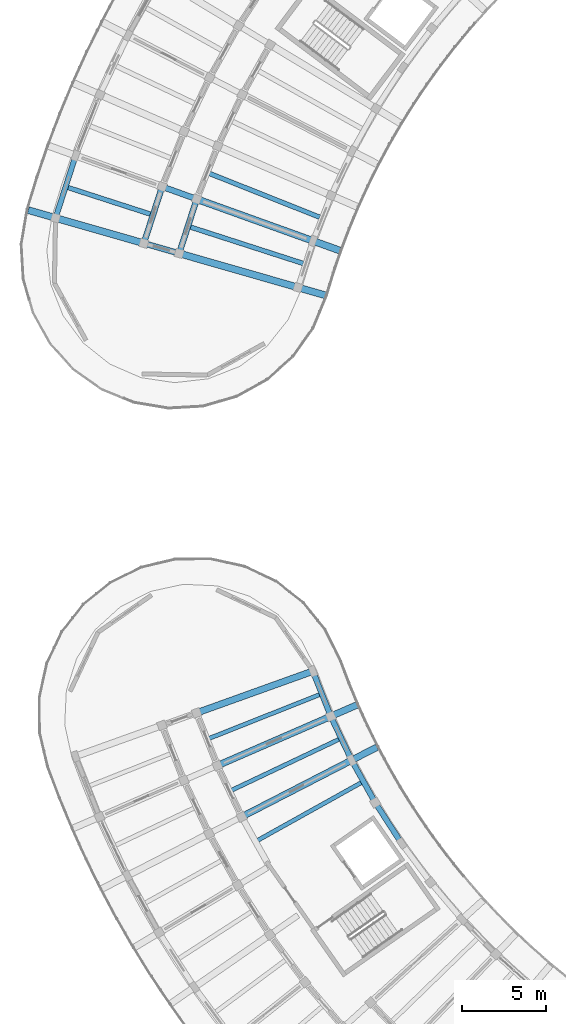
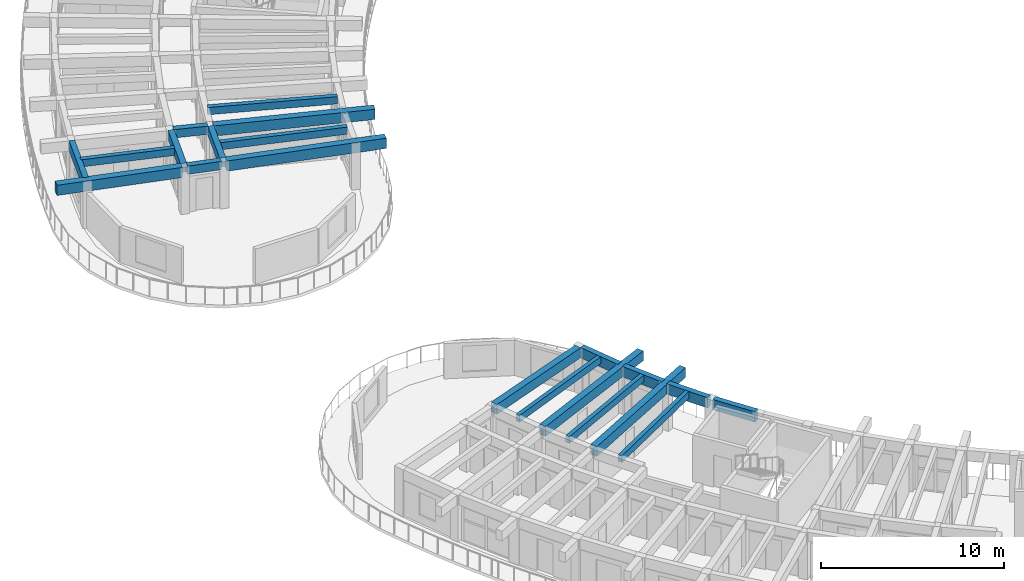
# One storey, part 11 of 83: 21 beams.
"""IFC4 building model written with IfcOpenShell, lengths in metres."""

import ifcopenshell
import ifcopenshell.guid

model = None  # the IFC model being written
_history = None  # IfcOwnerHistory: only IFC2X3 demands one
_inside = {}  # id of a spatial element -> (the spatial element, [elements in it])
_under = {}  # id of a project, library or spatial element -> (it, [spatial elements below it])
_declared = {}  # id of a project -> (the project, [libraries it declares])
_typed = {}  # id of a type object -> (the type object, [elements of that type])
_made_of = {}  # id of a material, layer set ... -> (it, [elements and type objects made of it])


def new_model(schema):
    """Start an empty IFC model of exactly this schema.

    Asked for "IFC4X3", IfcOpenShell would pick the latest addendum, in which some entities
    have other attributes; the version numbers below select the first issue.
    IFC2X3 requires an IfcOwnerHistory on every rooted entity: one is made here for all.
    """
    global model, _history
    if schema == "IFC4X3":
        model = ifcopenshell.file(schema_version=(4, 3, 0, 0))
    else:
        model = ifcopenshell.file(schema=schema)
    _inside.clear()
    _under.clear()
    _declared.clear()
    _typed.clear()
    _made_of.clear()
    _history = None
    if model.schema == "IFC2X3":
        org = make("IfcOrganization", Name="unknown")
        user = make(
            "IfcPersonAndOrganization",
            ThePerson=make("IfcPerson", FamilyName="unknown"),
            TheOrganization=org,
        )
        app = make(
            "IfcApplication",
            ApplicationDeveloper=org,
            Version="unknown",
            ApplicationFullName="unknown",
            ApplicationIdentifier="unknown",
        )
        _history = make(
            "IfcOwnerHistory",
            OwningUser=user,
            OwningApplication=app,
            ChangeAction="ADDED",
            CreationDate=0,
        )
    return model


def make(cls, **values):
    """One entity of the class cls with the attributes given. An attribute that is None is left unset."""
    return model.create_entity(
        cls, **{name: value for name, value in values.items() if value is not None}
    )


def rooted(cls, **values):
    """An entity with a GlobalId (a new one), such as an element, a storey or a relation."""
    return make(cls, GlobalId=ifcopenshell.guid.new(), OwnerHistory=_history, **values)


def si_unit(unit_type, name, prefix=None):
    """IfcSIUnit, for example si_unit("LENGTHUNIT", "METRE", prefix="MILLI")."""
    return make("IfcSIUnit", UnitType=unit_type, Prefix=prefix, Name=name)


def assignment(units):
    """IfcUnitAssignment: the units of a project."""
    return None if units is None else make("IfcUnitAssignment", Units=units)


def point(xyz):
    """IfcCartesianPoint."""
    return None if xyz is None else make("IfcCartesianPoint", Coordinates=xyz)


def direction(xyz):
    """IfcDirection."""
    return None if xyz is None else make("IfcDirection", DirectionRatios=xyz)


def frame(location, z_axis=None, x_axis=None):
    """IfcAxis2Placement3D, a coordinate frame: its origin and axes. An axis left out is left unset."""
    return make(
        "IfcAxis2Placement3D",
        Location=point(location),
        Axis=direction(z_axis),
        RefDirection=direction(x_axis),
    )


def frame_2d(location, x_axis=None):
    """IfcAxis2Placement2D, a coordinate frame in the plane: its origin and x axis."""
    return make(
        "IfcAxis2Placement2D", Location=point(location), RefDirection=direction(x_axis)
    )


def origin():
    """The frame at (0, 0, 0) with its axes left unset."""
    return frame((0.0, 0.0, 0.0))


def origin_2d():
    """The frame at (0, 0) in the plane with its x axis left unset."""
    return frame_2d((0.0, 0.0))


def place(relative_to, where):
    """IfcLocalPlacement: puts the frame where relative to a parent placement (None: the world)."""
    return make(
        "IfcLocalPlacement", PlacementRelTo=relative_to, RelativePlacement=where
    )


def context(
    kind, dimensions, precision=None, world=None, true_north=None, identifier=None
):
    """IfcGeometricRepresentationContext, for example the 3D "Model" context."""
    return make(
        "IfcGeometricRepresentationContext",
        ContextIdentifier=identifier,
        ContextType=kind,
        CoordinateSpaceDimension=dimensions,
        Precision=precision,
        WorldCoordinateSystem=world,
        TrueNorth=true_north,
    )


def subcontext(parent, identifier, kind, view, scale=None):
    """IfcGeometricRepresentationSubContext, for example "Body" below "Model"."""
    return make(
        "IfcGeometricRepresentationSubContext",
        ContextIdentifier=identifier,
        ContextType=kind,
        ParentContext=parent,
        TargetScale=scale,
        TargetView=view,
    )


def project(units=None, contexts=None):
    """IfcProject with its units and contexts."""
    return rooted(
        "IfcProject",
        Name="project",
        RepresentationContexts=contexts,
        UnitsInContext=assignment(units),
    )


def spatial(cls, under=None, at=None, **own):
    """A site, building, storey or space (cls), placed at a placement, below another one or the project."""
    s = rooted(cls, ObjectPlacement=at, **own)
    if under is not None:
        _under.setdefault(under.id(), (under, []))[1].append(s)
    return s


def profile(cls, at=None, kind="AREA", **sizes):
    """A parametric profile (cls). Its sizes go by their IFC names, for example OverallWidth=200.0."""
    return make(cls, ProfileType=kind, Position=at, **sizes)


def rectangle(**sizes):
    """IfcRectangleProfileDef."""
    return profile("IfcRectangleProfileDef", **sizes)


def extrude(swept, where, along, depth):
    """IfcExtrudedAreaSolid: the profile swept, set in the frame where, extruded along a direction by depth."""
    return make(
        "IfcExtrudedAreaSolid",
        SweptArea=swept,
        Position=where,
        ExtrudedDirection=direction(along),
        Depth=depth,
    )


def shape(context_of_items, identifier, shape_type, items):
    """IfcShapeRepresentation: the items that make up one representation, for example the "Body"."""
    return make(
        "IfcShapeRepresentation",
        ContextOfItems=context_of_items,
        RepresentationIdentifier=identifier,
        RepresentationType=shape_type,
        Items=items,
    )


def material(Name=None, Category=None):
    """IfcMaterial."""
    return make("IfcMaterial", Name=Name, Category=Category)


def material_profile(
    of_material, cross_section, Name=None, Category=None, Priority=None
):
    """IfcMaterialProfile: a cross section and its material."""
    return make(
        "IfcMaterialProfile",
        Name=Name,
        Material=of_material,
        Profile=cross_section,
        Priority=Priority,
        Category=Category,
    )


def profile_set(profiles, Name=None, composite=None):
    """IfcMaterialProfileSet."""
    return make(
        "IfcMaterialProfileSet",
        Name=Name,
        MaterialProfiles=profiles,
        CompositeProfile=composite,
    )


def made_of(thing, what):
    """Note that an element or type object is made of a material, layer set ...; save() writes the relation."""
    if what is not None:
        _made_of.setdefault(what.id(), (what, []))[1].append(thing)
    return thing


def type_object(cls, material=None, **own):
    """A type object (cls), such as IfcWallType, which elements share."""
    return made_of(rooted(cls, **own), material)


def element(
    cls,
    number,
    at=None,
    inside=None,
    cuts=None,
    type_object=None,
    material=None,
    context=None,
    identifier="Body",
    shape_type=None,
    held_by="IfcProductDefinitionShape",
    body=None,
    shapes=None,
    **own,
):
    """One element of the class cls, such as IfcWall. Its Tag is "e" and its number.

    at: its placement. inside: the storey or other place that contains it. cuts: it is an
    opening in that element (IfcRelVoidsElement). A single representation is given by context,
    identifier, shape_type and body (its items); several are given by shapes. held_by: the class
    of the entity that holds the representations. save() writes the other relations.
    """
    e = rooted(cls, Tag="e%d" % number, ObjectPlacement=at, **own)
    if body is not None:
        shapes = [shape(context, identifier, shape_type, body)]
    if shapes is not None:
        e.Representation = make(held_by, Representations=shapes)
    if inside is not None:
        _inside.setdefault(inside.id(), (inside, []))[1].append(e)
    if cuts is not None:
        rooted(
            "IfcRelVoidsElement", RelatingBuildingElement=cuts, RelatedOpeningElement=e
        )
    if type_object is not None:
        _typed.setdefault(type_object.id(), (type_object, []))[1].append(e)
    return made_of(e, material)


def aggregate(whole, parts):
    """IfcRelAggregates: a whole, such as a stair, and the parts it consists of."""
    return rooted("IfcRelAggregates", RelatingObject=whole, RelatedObjects=parts)


def save(model, path):
    """Write the relations noted so far, then the file.

    IfcRelAggregates (storeys below a building ...), IfcRelContainedInSpatialStructure (elements
    in a storey), IfcRelDefinesByType, IfcRelAssociatesMaterial and IfcRelDeclares: one each for
    every whole, place, type object, material and project.
    """
    for whole, parts in _under.values():
        aggregate(whole, parts)
    for where, things in _inside.values():
        rooted(
            "IfcRelContainedInSpatialStructure",
            RelatedElements=things,
            RelatingStructure=where,
        )
    for kind, things in _typed.values():
        rooted("IfcRelDefinesByType", RelatedObjects=things, RelatingType=kind)
    for what, things in _made_of.values():
        rooted("IfcRelAssociatesMaterial", RelatedObjects=things, RelatingMaterial=what)
    for by, libraries in _declared.values():
        rooted("IfcRelDeclares", RelatingContext=by, RelatedDefinitions=libraries)
    model.write(path)


model = new_model("IFC4")

# Units and contexts
model_context = context("Model", 3, precision=1e-05, world=origin(), true_north=direction((0.0, 1.0)))
body_context = subcontext(model_context, "Body", "Model", "MODEL_VIEW")
ifc_project = project(units=[si_unit("LENGTHUNIT", "METRE"), si_unit("AREAUNIT", "SQUARE_METRE"), si_unit("VOLUMEUNIT", "CUBIC_METRE"), si_unit("PLANEANGLEUNIT", "RADIAN"), si_unit("MASSUNIT", "GRAM", prefix="KILO")], contexts=[model_context])

# Site, building, storey
site_placement = place(None, origin())
site = spatial("IfcSite", under=ifc_project, at=site_placement, CompositionType="ELEMENT")
building_placement = place(site_placement, origin())
building = spatial("IfcBuilding", under=site, at=building_placement, Name="Tanwirah Colonnade Gardens", CompositionType="ELEMENT")
storey_placement = place(building_placement, frame((0.0, 0.0, 25.639892578125)))
storey = spatial("IfcBuildingStorey", under=building, at=storey_placement, Name="L07", CompositionType="ELEMENT", Elevation=25.639892578125)

# Beams
ifc_material_1 = material(Name="Precast concrete C40/50", Category="concrete")
ifc_material_profile_1 = material_profile(ifc_material_1, rectangle(XDim=0.35009765625, YDim=0.550048828125, at=origin_2d()), Name="PC-BM 350x550")
ifc_profile_set_1 = profile_set([ifc_material_profile_1], Name="Precast concrete C40/50")
beam_type_1 = type_object("IfcBeamType", Name="BM-PC350A", PredefinedType="BEAM", material=ifc_profile_set_1)
for number, where, z_axis, x_axis, name in (
    (1, (16.0673828125, 77.79541015625, 2.835205078125), (-0.941021664552, 0.338346311999, 0.0), (-0.338346311999, -0.941021664552, 0.0), "Block A L07 Corridor Tie Beam 17"),
    (2, (15.014404296875, 74.533203125, 2.835205078125), (-0.961266538157, 0.275620468433, 0.0), (-0.275620468433, -0.961266538157, 0.0), "Block A L07 Corridor Tie Beam 18"),
):
    element("IfcBeam", number, at=place(storey_placement, frame(where, z_axis=z_axis, x_axis=x_axis)), inside=storey, type_object=beam_type_1, Name=name, PredefinedType="BEAM", context=body_context, shape_type="SweptSolid", body=[
        extrude(rectangle(XDim=0.35009765625, YDim=0.550048828125, at=origin_2d()), origin(), (0.0, 0.0, 1.0), 1.89990234375),
    ])
ifc_material_profile_2 = material_profile(ifc_material_1, rectangle(XDim=0.35009765625, YDim=0.60009765625, at=origin_2d()), Name="PC-BM 350x600")
ifc_profile_set_2 = profile_set([ifc_material_profile_2], Name="Precast concrete C40/50")
beam_type_2 = type_object("IfcBeamType", Name="BM-PC350B", PredefinedType="BEAM", material=ifc_profile_set_2)
beam_1_placement = place(storey_placement, frame((16.162353515625, 77.601806640625, 2.81005859375), z_axis=(-0.307169780148, -0.951654730542, 0.0), x_axis=(0.951654730542, -0.307169780148, 0.0)))
element("IfcBeam", 3, at=beam_1_placement, inside=storey, type_object=beam_type_2, Name="Block A L07 Circumferential Beam 17-R1", PredefinedType="BEAM", context=body_context, shape_type="SweptSolid", body=[
    extrude(rectangle(XDim=0.35009765625, YDim=0.60009765625, at=origin_2d()), origin(), (0.0, 0.0, 1.0), 3.117919921875),
])
beam_2_placement = place(storey_placement, frame((14.09228515625, 78.34619140625, 2.81005859375), z_axis=(-0.307212636327, -0.9516408966, 0.0), x_axis=(0.9516408966, -0.307212636327, 0.0)))
element("IfcBeam", 4, at=beam_2_placement, inside=storey, type_object=beam_type_2, Name="Block A L07 Circumferential Beam 17-R2", PredefinedType="BEAM", context=body_context, shape_type="SweptSolid", body=[
    extrude(rectangle(XDim=0.35009765625, YDim=0.60009765625, at=origin_2d()), origin(), (0.0, 0.0, 1.0), 3.262939453125),
])
ifc_material_2 = material(Name="Precast concrete C45/55", Category="concrete")
ifc_material_profile_3 = material_profile(ifc_material_2, rectangle(XDim=0.39990234375, YDim=0.64990234375, at=origin_2d()), Name="PC-BM 400x650")
ifc_profile_set_3 = profile_set([ifc_material_profile_3], Name="Precast concrete C45/55")
beam_type_3 = type_object("IfcBeamType", Name="BM-PC400", PredefinedType="BEAM", material=ifc_profile_set_3)
beam_3_placement = place(storey_placement, frame((16.34130859375, 47.02978515625, 2.78515625), z_axis=(0.941174201015, 0.33792177104, 0.0), x_axis=(-0.33792177104, 0.941174201015, 0.0)))
element("IfcBeam", 5, at=beam_3_placement, inside=storey, type_object=beam_type_3, Name="Block C L07 Inner Radial Precast Girder 1", PredefinedType="BEAM", context=body_context, shape_type="SweptSolid", body=[
    extrude(rectangle(XDim=0.39990234375, YDim=0.64990234375, at=origin_2d()), origin(), (0.0, 0.0, 1.0), 7.099853515625),
])
for number, where, z_axis, x_axis, name in (
    (6, (17.587890625, 43.884765625, 2.78515625), (0.917069622575, 0.398727108872, 0.0), (-0.398727108872, 0.917069622575, 0.0), "Block C L07 Inner Radial Precast Girder 2"),
    (7, (19.037841796875, 40.827880859375, 2.78515625), (0.889022337846, 0.457863825619, 0.0), (-0.457863825619, 0.889022337846, 0.0), "Block C L07 Inner Radial Precast Girder 3"),
):
    element("IfcBeam", number, at=place(storey_placement, frame(where, z_axis=z_axis, x_axis=x_axis)), inside=storey, type_object=beam_type_3, Name=name, PredefinedType="BEAM", context=body_context, shape_type="SweptSolid", body=[
        extrude(rectangle(XDim=0.39990234375, YDim=0.64990234375, at=origin_2d()), origin(), (0.0, 0.0, 1.0), 8.949951171875),
    ])
ifc_material_profile_4 = material_profile(ifc_material_2, rectangle(XDim=0.419921875, YDim=0.679931640625, at=origin_2d()), Name="PC-BM 420x680")
ifc_profile_set_4 = profile_set([ifc_material_profile_4], Name="Precast concrete C45/55")
beam_type_4 = type_object("IfcBeamType", Name="BM-PC420", PredefinedType="BEAM", material=ifc_profile_set_4)
for number, where, z_axis, x_axis, name in (
    (8, (16.349609375, 77.69384765625, 2.77001953125), (0.941017049702, -0.338359146723, 0.0), (0.338359146723, 0.941017049702, 0.0), "Block A L07 Inner Radial Precast Girder 17"),
    (9, (15.302734375, 74.450439453125, 2.77001953125), (0.961258954076, -0.275646917646, 0.0), (0.275646917646, 0.961258954076, 0.0), "Block A L07 Inner Radial Precast Girder 18"),
):
    element("IfcBeam", number, at=place(storey_placement, frame(where, z_axis=z_axis, x_axis=x_axis)), inside=storey, type_object=beam_type_4, Name=name, PredefinedType="BEAM", context=body_context, shape_type="SweptSolid", body=[
        extrude(rectangle(XDim=0.419921875, YDim=0.679931640625, at=origin_2d()), origin(), (0.0, 0.0, 1.0), 8.949951171875),
    ])
beam_4_placement = place(storey_placement, frame((12.899658203125, 75.1396484375, 2.77001953125), z_axis=(-0.961266085595, 0.275622046806, 0.0), x_axis=(-0.275622046806, -0.961266085595, 0.0)))
element("IfcBeam", 10, at=beam_4_placement, inside=storey, type_object=beam_type_4, Name="Block A L07 Outer Radial Precast Girder 18", PredefinedType="BEAM", context=body_context, shape_type="SweptSolid", body=[
    extrude(rectangle(XDim=0.419921875, YDim=0.679931640625, at=origin_2d()), origin(), (0.0, 0.0, 1.0), 7.0498046875),
])
ifc_material_profile_5 = material_profile(ifc_material_1, rectangle(XDim=0.25, YDim=0.449951171875, at=origin_2d()), Name="PC-JST 250x450")
ifc_profile_set_5 = profile_set([ifc_material_profile_5], Name="Precast concrete C40/50")
beam_type_5 = type_object("IfcBeamType", Name="JST-PC250", PredefinedType="JOIST", material=ifc_profile_set_5)
beam_5_placement = place(storey_placement, frame((23.567138671875, 48.07470703125, 2.885009765625), z_axis=(-0.929619798141, -0.368520054956, 0.0), x_axis=(0.368520054956, -0.929619798141, 0.0)))
element("IfcBeam", 11, at=beam_5_placement, inside=storey, type_object=beam_type_5, Name="Block C L07 Inner Precast Floor Joist 1", PredefinedType="JOIST", context=body_context, shape_type="SweptSolid", body=[
    extrude(rectangle(XDim=0.25, YDim=0.449951171875, at=origin_2d()), origin(), (0.0, 0.0, 1.0), 7.16015625),
])
for number, where, z_axis, x_axis, name in (
    (12, (24.72998046875, 45.39990234375, 2.885009765625), (-0.903522492189, -0.428540670308, 0.0), (0.428540670308, -0.903522492189, 0.0), "Block C L07 Inner Precast Floor Joist 2"),
    (13, (26.0654296875, 42.80712890625, 2.885009765625), (-0.873559899034, -0.486716655561, 0.0), (0.486716655561, -0.873559899034, 0.0), "Block C L07 Inner Precast Floor Joist 3"),
):
    element("IfcBeam", number, at=place(storey_placement, frame(where, z_axis=z_axis, x_axis=x_axis)), inside=storey, type_object=beam_type_5, Name=name, PredefinedType="JOIST", context=body_context, shape_type="SweptSolid", body=[
        extrude(rectangle(XDim=0.25, YDim=0.449951171875, at=origin_2d()), origin(), (0.0, 0.0, 1.0), 7.159912109375),
    ])
ifc_material_profile_6 = material_profile(ifc_material_1, rectangle(XDim=0.280029296875, YDim=0.47998046875, at=origin_2d()), Name="PC-JST 280x480")
ifc_profile_set_6 = profile_set([ifc_material_profile_6], Name="Precast concrete C40/50")
beam_type_6 = type_object("IfcBeamType", Name="JST-PC280", PredefinedType="JOIST", material=ifc_profile_set_6)
beam_6_placement = place(storey_placement, frame((23.578857421875, 76.655517578125, 2.8701171875), z_axis=(-0.929344232768, 0.369214432303, 0.0), x_axis=(-0.369214432303, -0.929344232768, 0.0)))
element("IfcBeam", 14, at=beam_6_placement, inside=storey, type_object=beam_type_6, Name="Block A L07 Inner Precast Floor Joist 16", PredefinedType="JOIST", context=body_context, shape_type="SweptSolid", body=[
    extrude(rectangle(XDim=0.280029296875, YDim=0.47998046875, at=origin_2d()), origin(), (0.0, 0.0, 1.0), 7.159912109375),
])
beam_7_placement = place(storey_placement, frame((13.448974609375, 76.839599609375, 2.8701171875), z_axis=(-0.951656985441, 0.307162794072, 0.0), x_axis=(-0.307162794072, -0.951656985441, 0.0)))
element("IfcBeam", 15, at=beam_7_placement, inside=storey, type_object=beam_type_6, Name="Block A L07 Precast Floor Joist 17", PredefinedType="JOIST", context=body_context, shape_type="SweptSolid", body=[
    extrude(rectangle(XDim=0.280029296875, YDim=0.47998046875, at=origin_2d()), origin(), (0.0, 0.0, 1.0), 5.26025390625),
])
beam_8_placement = place(storey_placement, frame((22.584716796875, 73.890625, 2.8701171875), z_axis=(-0.951647858625, 0.307191069489, 0.0), x_axis=(-0.307191069489, -0.951647858625, 0.0)))
element("IfcBeam", 16, at=beam_8_placement, inside=storey, type_object=beam_type_6, Name="Block A L07 Inner Precast Floor Joist 17", PredefinedType="JOIST", context=body_context, shape_type="SweptSolid", body=[
    extrude(rectangle(XDim=0.280029296875, YDim=0.47998046875, at=origin_2d()), origin(), (0.0, 0.0, 1.0), 7.159912109375),
])
ifc_material_profile_7 = material_profile(ifc_material_1, rectangle(XDim=0.330078125, YDim=0.68994140625, at=origin_2d()), Name="PC-SP 330x690")
ifc_profile_set_7 = profile_set([ifc_material_profile_7], Name="Precast concrete C40/50")
beam_type_7 = type_object("IfcBeamType", Name="SP-PC280", PredefinedType="SPANDREL", material=ifc_profile_set_7)
beam_9_placement = place(storey_placement, frame((23.219970703125, 49.340087890625, 2.76513671875), z_axis=(0.368549031306, -0.929608310808, 0.0), x_axis=(0.929608310808, 0.368549031306, 0.0)))
element("IfcBeam", 17, at=beam_9_placement, inside=storey, type_object=beam_type_7, Name="Block C L07 Circumferential Beam 1-R0", PredefinedType="SPANDREL", context=body_context, shape_type="SweptSolid", body=[
    extrude(rectangle(XDim=0.330078125, YDim=0.68994140625, at=origin_2d()), origin(), (0.0, 0.0, 1.0), 2.608642578125),
])
beam_10_placement = place(storey_placement, frame((24.301025390625, 46.64013671875, 2.76513671875), z_axis=(0.428512709915, -0.903535753272, 0.0), x_axis=(0.903535753272, 0.428512709915, 0.0)))
element("IfcBeam", 18, at=beam_10_placement, inside=storey, type_object=beam_type_7, Name="Block C L07 Circumferential Beam 2-R0", PredefinedType="SPANDREL", context=body_context, shape_type="SweptSolid", body=[
    extrude(rectangle(XDim=0.330078125, YDim=0.68994140625, at=origin_2d()), origin(), (0.0, 0.0, 1.0), 2.60888671875),
])
beam_11_placement = place(storey_placement, frame((25.55615234375, 44.016357421875, 2.76513671875), z_axis=(0.486747049114, -0.873542964129, 0.0), x_axis=(0.873542964129, 0.486747049114, 0.0)))
element("IfcBeam", 19, at=beam_11_placement, inside=storey, type_object=beam_type_7, Name="Block C L07 Circumferential Beam 3-R0", PredefinedType="SPANDREL", context=body_context, shape_type="SweptSolid", body=[
    extrude(rectangle(XDim=0.330078125, YDim=0.68994140625, at=origin_2d()), origin(), (0.0, 0.0, 1.0), 2.608642578125),
])
beam_12_placement = place(storey_placement, frame((26.980224609375, 41.48046875, 2.76513671875), z_axis=(0.542874837406, -0.83981361677, 0.0), x_axis=(0.83981361677, 0.542874837406, 0.0)))
element("IfcBeam", 20, at=beam_12_placement, inside=storey, type_object=beam_type_7, Name="Block C L07 Circumferential Beam 4-R0", PredefinedType="SPANDREL", context=body_context, shape_type="SweptSolid", body=[
    extrude(rectangle(XDim=0.330078125, YDim=0.68994140625, at=origin_2d()), origin(), (0.0, 0.0, 1.0), 2.60888671875),
])
ifc_material_profile_8 = material_profile(ifc_material_2, rectangle(XDim=0.320068359375, YDim=0.679931640625, at=origin_2d()), Name="PC-SP 320x680")
ifc_profile_set_8 = profile_set([ifc_material_profile_8], Name="Precast concrete C45/55")
beam_type_8 = type_object("IfcBeamType", Name="SP-PC320", PredefinedType="SPANDREL", material=ifc_profile_set_8)
beam_13_placement = place(storey_placement, frame((8.916748046875, 80.207275390625, 2.77001953125), z_axis=(-0.307183773768, -0.951650213647, 0.0), x_axis=(0.951650213647, -0.307183773768, 0.0)))
element("IfcBeam", 21, at=beam_13_placement, inside=storey, type_object=beam_type_8, Name="Block A L07 Circumferential Beam 17-R3", PredefinedType="SPANDREL", context=body_context, shape_type="SweptSolid", body=[
    extrude(rectangle(XDim=0.320068359375, YDim=0.679931640625, at=origin_2d()), origin(), (0.0, 0.0, 1.0), 3.625732421875),
])

save(model, "model.ifc")
